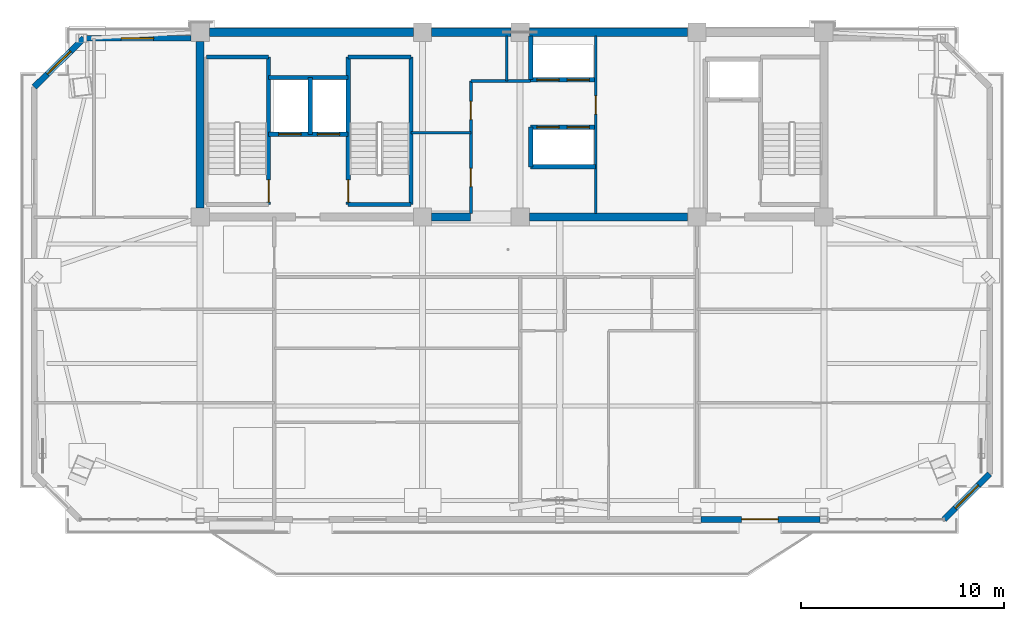
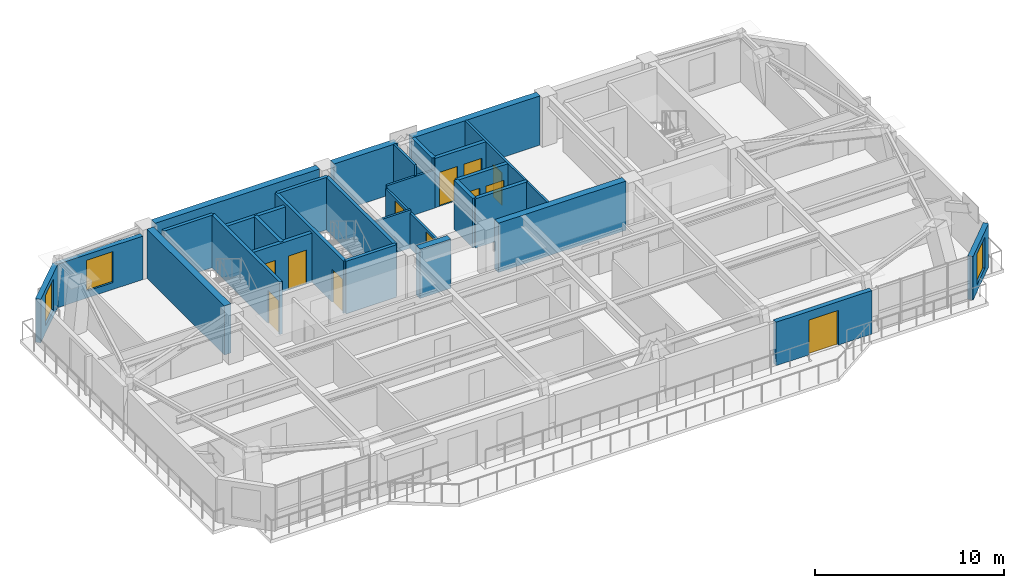
# One storey, part 7 of 12: 29 walls, 12 doors, 3 windows, 15 openings.
"""IFC4 building model written with IfcOpenShell, lengths in metres."""

from ifc_helpers import new_model, si_unit, direction, frame, frame_2d, origin, place, context, subcontext, project, spatial, rectangle, extrude, source, transform, mapped, material, layer, layer_set, type_object, element, fill, save


model = new_model("IFC4")

# Units and contexts
model_context = context("Model", 3, precision=1e-05, world=origin(), true_north=direction((0.0, 1.0)))
body_context = subcontext(model_context, "Body", "Model", "MODEL_VIEW")
ifc_project = project(units=[si_unit("LENGTHUNIT", "METRE"), si_unit("AREAUNIT", "SQUARE_METRE"), si_unit("VOLUMEUNIT", "CUBIC_METRE"), si_unit("PLANEANGLEUNIT", "RADIAN"), si_unit("MASSUNIT", "GRAM", prefix="KILO")], contexts=[model_context])

# Site, building, storey
site_placement = place(None, origin())
site = spatial("IfcSite", under=ifc_project, at=site_placement, CompositionType="ELEMENT")
building_placement = place(site_placement, origin())
building = spatial("IfcBuilding", under=site, at=building_placement, Name="Giltprow Tower", CompositionType="ELEMENT")
storey_placement = place(building_placement, frame((0.0, 0.0, 342.5)))
storey = spatial("IfcBuildingStorey", under=building, at=storey_placement, Name="L89", CompositionType="ELEMENT", Elevation=342.5)

# Wall, opening, window
ifc_material_1 = material(Name="Precast concrete C40", Category="concrete")
ifc_layer_1 = layer(ifc_material_1, 0.300048828125, Name="Precast concrete C40")
ifc_layer_set_1 = layer_set([ifc_layer_1], Name="Precast concrete C40")
wall_type_1 = type_object("IfcWallType", Name="EW-NOTCH-CHAMFER-300", PredefinedType="SOLIDWALL", material=ifc_layer_set_1)
wall_1_placement = place(storey_placement, frame((56.468994140625, 22.568115234375, 0.0), z_axis=(0.0, 0.0, 1.0), x_axis=(0.707145211947, 0.707068348337, 0.0)))
wall_1 = element("IfcWall", 1, at=wall_1_placement, inside=storey, type_object=wall_type_1, Name="L89 Corner Notch Wall SE", PredefinedType="SOLIDWALL", context=body_context, shape_type="SweptSolid", body=[
    extrude(rectangle(XDim=3.17626953125, YDim=0.300048828125, at=frame_2d((1.588134765625, 0.0))), origin(), (0.0, 0.0, 1.0), 2.81494140625),
])
opening_1_placement = place(wall_1_placement, frame((0.7880859375, 0.0, 0.449951171875)))
opening_1 = element("IfcOpeningElement", 2, at=opening_1_placement, cuts=wall_1, Name="Opening WN17", PredefinedType="OPENING", context=body_context, shape_type="SweptSolid", body=[
    extrude(rectangle(XDim=1.60009765625, YDim=2.0, at=frame_2d((0.800048828125, 1.0))), frame((0.0, 0.159912109375, 0.0), z_axis=(0.0, -1.0, 0.0), x_axis=(1.0, 0.0, 0.0)), (0.0, 0.0, 1.0), 0.320068359375),
])
ifc_material_2 = material(Name="Insulated glass", Category="glass")
window_type = type_object("IfcWindowType", Name="WN-COR-1600x2000", PartitioningType="SINGLE_PANEL", PredefinedType="WINDOW", material=ifc_material_2)
shared_shape_1 = source(origin(), body_context, "Body", "SweptSolid", [
    extrude(rectangle(XDim=1.60009765625, YDim=2.0, at=frame_2d((0.800048828125, 1.0))), frame((0.0, 0.030029296875, 0.0), z_axis=(0.0, -1.0, 0.0), x_axis=(1.0, 0.0, 0.0)), (0.0, 0.0, 1.0), 0.06005859375),
])
window_1_placement = place(opening_1_placement, origin())
window_1 = element("IfcWindow", 3, at=window_1_placement, inside=storey, type_object=window_type, Name="L89 Corner Notch Window SE", OverallHeight=2.0, OverallWidth=1.60009765625, PartitioningType="SINGLE_PANEL", PredefinedType="WINDOW", context=body_context, shape_type="MappedRepresentation", body=[
    mapped(shared_shape_1, transform((0.0, 0.0, 0.0), x_axis=(1.0, 0.0, 0.0), y_axis=(0.0, 1.0, 0.0), z_axis=(0.0, 0.0, 1.0), scale=1.0)),
])
fill(opening_1, window_1)

wall_2_placement = place(storey_placement, frame((14.131103515625, 46.25, 0.0), z_axis=(0.0, 0.0, 1.0), x_axis=(-0.714377494024, -0.699760527632, 0.0)))
wall_2 = element("IfcWall", 4, at=wall_2_placement, inside=storey, type_object=wall_type_1, Name="L89 Corner Notch Wall NW", PredefinedType="SOLIDWALL", context=body_context, shape_type="SweptSolid", body=[
    extrude(rectangle(XDim=3.424072265625, YDim=0.300048828125, at=frame_2d((1.7119140625, 0.0))), origin(), (0.0, 0.0, 1.0), 2.81494140625),
])
opening_2_placement = place(wall_2_placement, frame((0.912109375, 0.0, 0.449951171875)))
opening_2 = element("IfcOpeningElement", 5, at=opening_2_placement, cuts=wall_2, Name="Opening WN17", PredefinedType="OPENING", context=body_context, shape_type="SweptSolid", body=[
    extrude(rectangle(XDim=1.60009765625, YDim=2.0, at=frame_2d((0.800048828125, 1.0))), frame((0.0, 0.159912109375, 0.0), z_axis=(0.0, -1.0, 0.0), x_axis=(1.0, 0.0, 0.0)), (0.0, 0.0, 1.0), 0.320068359375),
])
window_2_placement = place(opening_2_placement, origin())
window_2 = element("IfcWindow", 6, at=window_2_placement, inside=storey, type_object=window_type, Name="L89 Corner Notch Window NW", OverallHeight=2.0, OverallWidth=1.60009765625, PartitioningType="SINGLE_PANEL", PredefinedType="WINDOW", context=body_context, shape_type="MappedRepresentation", body=[
    mapped(shared_shape_1, transform((0.0, 0.0, 0.0), x_axis=(1.0, 0.0, 0.0), y_axis=(0.0, 1.0, 0.0), z_axis=(0.0, 0.0, 1.0), scale=1.0)),
])
fill(opening_2, window_2)

# Wall, opening, door
ifc_layer_2 = layer(ifc_material_1, 0.280029296875, Name="Precast concrete C40")
ifc_layer_set_2 = layer_set([ifc_layer_2], Name="Precast concrete C40")
wall_type_2 = type_object("IfcWallType", Name="EW-TOW-BRONZE-280", PredefinedType="SOLIDWALL", material=ifc_layer_set_2)
wall_3_placement = place(storey_placement, frame((44.5, 22.568115234375, 0.0), z_axis=(0.0, 0.0, 1.0), x_axis=(1.0, 0.0, 0.0)))
wall_3 = element("IfcWall", 7, at=wall_3_placement, inside=storey, type_object=wall_type_2, Name="L89 South Expressed Frame Wall 5", PredefinedType="SOLIDWALL", context=body_context, shape_type="SweptSolid", body=[
    extrude(rectangle(XDim=5.85009765625, YDim=0.280029296875, at=frame_2d((2.925048828125, 0.0))), origin(), (0.0, 0.0, 1.0), 2.81494140625),
])
opening_3_placement = place(wall_3_placement, frame((2.0, 0.0, 0.0)))
opening_3 = element("IfcOpeningElement", 8, at=opening_3_placement, cuts=wall_3, Name="Opening ED25", PredefinedType="OPENING", context=body_context, shape_type="SweptSolid", body=[
    extrude(rectangle(XDim=1.800048828125, YDim=2.25, at=frame_2d((0.89990234375, 1.125))), frame((0.0, 0.14990234375, 0.0), z_axis=(0.0, -1.0, 0.0), x_axis=(1.0, 0.0, 0.0)), (0.0, 0.0, 1.0), 0.300048828125),
])
ifc_material_3 = material(Name="Anodized bronze and glass", Category="glass")
door_type_1 = type_object("IfcDoorType", Name="DR-BALC-SLIDE-1800", OperationType="SLIDING_TO_LEFT", PredefinedType="DOOR", material=ifc_material_3)
shared_shape_2 = source(origin(), body_context, "Body", "SweptSolid", [
    extrude(rectangle(XDim=1.800048828125, YDim=2.25, at=frame_2d((0.89990234375, 1.125))), frame((0.0, 0.02490234375, 0.0), z_axis=(0.0, -1.0, 0.0), x_axis=(1.0, 0.0, 0.0)), (0.0, 0.0, 1.0), 0.050048828125),
])
door_1_placement = place(opening_3_placement, origin())
door_1 = element("IfcDoor", 9, at=door_1_placement, inside=storey, type_object=door_type_1, Name="L89 Waterfront Balcony Sliding Door 2", OperationType="SLIDING_TO_LEFT", OverallHeight=2.25, OverallWidth=1.800048828125, PredefinedType="DOOR", context=body_context, shape_type="MappedRepresentation", body=[
    mapped(shared_shape_2, transform((0.0, 0.0, 0.0), x_axis=(1.0, 0.0, 0.0), y_axis=(0.0, 1.0, 0.0), z_axis=(0.0, 0.0, 1.0), scale=1.0)),
])
fill(opening_3, door_1)

# Wall, opening, window
wall_4_placement = place(storey_placement, frame((14.131103515625, 46.25, 0.0), z_axis=(0.0, 0.0, 1.0), x_axis=(1.0, 0.0, 0.0)))
wall_4 = element("IfcWall", 10, at=wall_4_placement, inside=storey, type_object=wall_type_2, Name="L89 North-West Wing Wall", PredefinedType="SOLIDWALL", context=body_context, shape_type="SweptSolid", body=[
    extrude(rectangle(XDim=5.268798828125, YDim=0.280029296875, at=frame_2d((2.63427734375, 0.0))), origin(), (0.0, 0.0, 1.0), 2.81494140625),
])
opening_4_placement = place(wall_4_placement, frame((1.833984375, 0.0, 0.449951171875)))
opening_4 = element("IfcOpeningElement", 11, at=opening_4_placement, cuts=wall_4, Name="Opening WN17", PredefinedType="OPENING", context=body_context, shape_type="SweptSolid", body=[
    extrude(rectangle(XDim=1.60009765625, YDim=2.0, at=frame_2d((0.800048828125, 1.0))), frame((0.0, 0.14990234375, 0.0), z_axis=(0.0, -1.0, 0.0), x_axis=(1.0, 0.0, 0.0)), (0.0, 0.0, 1.0), 0.300048828125),
])
window_3_placement = place(opening_4_placement, origin())
window_3 = element("IfcWindow", 12, at=window_3_placement, inside=storey, type_object=window_type, Name="L89 North-West Window", OverallHeight=2.0, OverallWidth=1.60009765625, PartitioningType="SINGLE_PANEL", PredefinedType="WINDOW", context=body_context, shape_type="MappedRepresentation", body=[
    mapped(shared_shape_1, transform((0.0, 0.0, 0.0), x_axis=(1.0, 0.0, 0.0), y_axis=(0.0, 1.0, 0.0), z_axis=(0.0, 0.0, 1.0), scale=1.0)),
])
fill(opening_4, window_3)

# Wall, openings, doors
ifc_material_4 = material(Name="Concrete C40", Category="concrete")
ifc_layer_3 = layer(ifc_material_4, 0.219970703125, Name="Concrete C40")
ifc_layer_set_3 = layer_set([ifc_layer_3], Name="Concrete C40")
wall_type_3 = type_object("IfcWallType", Name="IW-SHAFT-220", PredefinedType="SOLIDWALL", material=ifc_layer_set_3)
wall_5_placement = place(storey_placement, frame((23.219970703125, 41.52001953125, 0.0), z_axis=(0.0, 0.0, 1.0), x_axis=(1.0, 0.0, 0.0)))
wall_5 = element("IfcWall", 13, at=wall_5_placement, inside=storey, type_object=wall_type_3, Name="L89 FFL1 and Service Lift Front Wall", PredefinedType="SOLIDWALL", context=body_context, shape_type="SweptSolid", body=[
    extrude(rectangle(XDim=3.919921875, YDim=0.219970703125, at=frame_2d((1.9599609375, 0.0))), origin(), (0.0, 0.0, 1.0), 3.18505859375),
])
opening_5_placement = place(wall_5_placement, frame((0.5, 0.0, 0.0)))
opening_5 = element("IfcOpeningElement", 14, at=opening_5_placement, cuts=wall_5, Name="Opening LD-11", PredefinedType="OPENING", context=body_context, shape_type="SweptSolid", body=[
    extrude(rectangle(XDim=1.10009765625, YDim=2.199951171875, at=frame_2d((0.550048828125, 1.10009765625))), frame((0.0, 0.119873046875, 0.0), z_axis=(0.0, -1.0, 0.0), x_axis=(1.0, 0.0, 0.0)), (0.0, 0.0, 1.0), 0.239990234375),
])
opening_6_placement = place(wall_5_placement, frame((2.39990234375, 0.0, 0.0)))
opening_6 = element("IfcOpeningElement", 15, at=opening_6_placement, cuts=wall_5, Name="Opening LD-11", PredefinedType="OPENING", context=body_context, shape_type="SweptSolid", body=[
    extrude(rectangle(XDim=1.10009765625, YDim=2.199951171875, at=frame_2d((0.550048828125, 1.10009765625))), frame((0.0, 0.119873046875, 0.0), z_axis=(0.0, -1.0, 0.0), x_axis=(1.0, 0.0, 0.0)), (0.0, 0.0, 1.0), 0.239990234375),
])
ifc_material_5 = material(Name="Stainless steel", Category="steel")
door_type_2 = type_object("IfcDoorType", Name="DR-LIFT-LD1100", OperationType="SLIDING_TO_LEFT", PredefinedType="DOOR", material=ifc_material_5)
shared_shape_3 = source(origin(), body_context, "Body", "SweptSolid", [
    extrude(rectangle(XDim=1.10009765625, YDim=2.199951171875, at=frame_2d((0.550048828125, 1.10009765625))), frame((0.0, 0.02490234375, 0.0), z_axis=(0.0, -1.0, 0.0), x_axis=(1.0, 0.0, 0.0)), (0.0, 0.0, 1.0), 0.050048828125),
])
door_2_placement = place(opening_5_placement, origin())
door_2 = element("IfcDoor", 16, at=door_2_placement, inside=storey, type_object=door_type_2, Name="L89 FFL1 Landing Door", OperationType="SLIDING_TO_LEFT", OverallHeight=2.199951171875, OverallWidth=1.10009765625, PredefinedType="DOOR", context=body_context, shape_type="MappedRepresentation", body=[
    mapped(shared_shape_3, transform((0.0, 0.0, 0.0), x_axis=(1.0, 0.0, 0.0), y_axis=(0.0, 1.0, 0.0), z_axis=(0.0, 0.0, 1.0), scale=1.0)),
])
fill(opening_5, door_2)
door_3_placement = place(opening_6_placement, origin())
door_3 = element("IfcDoor", 17, at=door_3_placement, inside=storey, type_object=door_type_2, Name="L89 SVL1 Landing Door", OperationType="SLIDING_TO_LEFT", OverallHeight=2.199951171875, OverallWidth=1.10009765625, PredefinedType="DOOR", context=body_context, shape_type="MappedRepresentation", body=[
    mapped(shared_shape_3, transform((0.0, 0.0, 0.0), x_axis=(1.0, 0.0, 0.0), y_axis=(0.0, 1.0, 0.0), z_axis=(0.0, 0.0, 1.0), scale=1.0)),
])
fill(opening_6, door_3)

# Walls
wall_6_placement = place(storey_placement, frame((25.260009765625, 41.52001953125, 0.0), z_axis=(0.0, 0.0, 1.0), x_axis=(0.0, 1.0, 0.0)))
element("IfcWall", 18, at=wall_6_placement, inside=storey, type_object=wall_type_3, Name="L89 FFL1-SVL1 Shaft Divider", PredefinedType="SOLIDWALL", context=body_context, shape_type="SweptSolid", body=[
    extrude(rectangle(XDim=2.800048828125, YDim=0.219970703125, at=frame_2d((1.39990234375, 0.0))), origin(), (0.0, 0.0, 1.0), 3.18505859375),
])
wall_7_placement = place(storey_placement, frame((23.219970703125, 44.320068359375, 0.0), z_axis=(0.0, 0.0, 1.0), x_axis=(1.0, 0.0, 0.0)))
element("IfcWall", 19, at=wall_7_placement, inside=storey, type_object=wall_type_3, Name="L89 FFL1-SVL1 Back Shaft Wall", PredefinedType="SOLIDWALL", context=body_context, shape_type="SweptSolid", body=[
    extrude(rectangle(XDim=3.919921875, YDim=0.219970703125, at=frame_2d((1.9599609375, 0.0))), origin(), (0.0, 0.0, 1.0), 3.18505859375),
])

# Wall, openings, doors
wall_8_placement = place(storey_placement, frame((36.1201171875, 44.219970703125, 0.0), z_axis=(0.0, 0.0, 1.0), x_axis=(1.0, 0.0, 0.0)))
wall_8 = element("IfcWall", 20, at=wall_8_placement, inside=storey, type_object=wall_type_3, Name="L89 High-Rise Lift Shaft Front Wall N", PredefinedType="SOLIDWALL", context=body_context, shape_type="SweptSolid", body=[
    extrude(rectangle(XDim=3.199951171875, YDim=0.219970703125, at=frame_2d((1.60009765625, 0.0))), origin(), (0.0, 0.0, 1.0), 3.18505859375),
])
opening_7_placement = place(wall_8_placement, frame((0.300048828125, 0.0, 0.0)))
opening_7 = element("IfcOpeningElement", 21, at=opening_7_placement, cuts=wall_8, Name="Opening LD-11", PredefinedType="OPENING", context=body_context, shape_type="SweptSolid", body=[
    extrude(rectangle(XDim=1.10009765625, YDim=2.199951171875, at=frame_2d((0.550048828125, 1.10009765625))), frame((0.0, 0.119873046875, 0.0), z_axis=(0.0, -1.0, 0.0), x_axis=(1.0, 0.0, 0.0)), (0.0, 0.0, 1.0), 0.239990234375),
])
opening_8_placement = place(wall_8_placement, frame((1.7900390625, 0.0, 0.0)))
opening_8 = element("IfcOpeningElement", 22, at=opening_8_placement, cuts=wall_8, Name="Opening LD-11", PredefinedType="OPENING", context=body_context, shape_type="SweptSolid", body=[
    extrude(rectangle(XDim=1.10009765625, YDim=2.199951171875, at=frame_2d((0.550048828125, 1.10009765625))), frame((0.0, 0.119873046875, 0.0), z_axis=(0.0, -1.0, 0.0), x_axis=(1.0, 0.0, 0.0)), (0.0, 0.0, 1.0), 0.239990234375),
])
door_4_placement = place(opening_7_placement, origin())
door_4 = element("IfcDoor", 23, at=door_4_placement, inside=storey, type_object=door_type_2, Name="L89 PL-H1 Landing Door", OperationType="SLIDING_TO_LEFT", OverallHeight=2.199951171875, OverallWidth=1.10009765625, PredefinedType="DOOR", context=body_context, shape_type="MappedRepresentation", body=[
    mapped(shared_shape_3, transform((0.0, 0.0, 0.0), x_axis=(1.0, 0.0, 0.0), y_axis=(0.0, 1.0, 0.0), z_axis=(0.0, 0.0, 1.0), scale=1.0)),
])
fill(opening_7, door_4)
door_5_placement = place(opening_8_placement, origin())
door_5 = element("IfcDoor", 24, at=door_5_placement, inside=storey, type_object=door_type_2, Name="L89 PL-H2 Landing Door", OperationType="SLIDING_TO_LEFT", OverallHeight=2.199951171875, OverallWidth=1.10009765625, PredefinedType="DOOR", context=body_context, shape_type="MappedRepresentation", body=[
    mapped(shared_shape_3, transform((0.0, 0.0, 0.0), x_axis=(1.0, 0.0, 0.0), y_axis=(0.0, 1.0, 0.0), z_axis=(0.0, 0.0, 1.0), scale=1.0)),
])
fill(opening_8, door_5)

wall_9_placement = place(storey_placement, frame((36.1201171875, 41.8798828125, 0.0), z_axis=(0.0, 0.0, 1.0), x_axis=(1.0, 0.0, 0.0)))
wall_9 = element("IfcWall", 25, at=wall_9_placement, inside=storey, type_object=wall_type_3, Name="L89 High-Rise Lift Shaft Front Wall S", PredefinedType="SOLIDWALL", context=body_context, shape_type="SweptSolid", body=[
    extrude(rectangle(XDim=3.199951171875, YDim=0.219970703125, at=frame_2d((1.60009765625, 0.0))), origin(), (0.0, 0.0, 1.0), 3.18505859375),
])
opening_9_placement = place(wall_9_placement, frame((0.300048828125, 0.0, 0.0)))
opening_9 = element("IfcOpeningElement", 26, at=opening_9_placement, cuts=wall_9, Name="Opening LD-11", PredefinedType="OPENING", context=body_context, shape_type="SweptSolid", body=[
    extrude(rectangle(XDim=1.10009765625, YDim=2.199951171875, at=frame_2d((0.550048828125, 1.10009765625))), frame((0.0, 0.119873046875, 0.0), z_axis=(0.0, -1.0, 0.0), x_axis=(1.0, 0.0, 0.0)), (0.0, 0.0, 1.0), 0.239990234375),
])
opening_10_placement = place(wall_9_placement, frame((1.7900390625, 0.0, 0.0)))
opening_10 = element("IfcOpeningElement", 27, at=opening_10_placement, cuts=wall_9, Name="Opening LD-11", PredefinedType="OPENING", context=body_context, shape_type="SweptSolid", body=[
    extrude(rectangle(XDim=1.10009765625, YDim=2.199951171875, at=frame_2d((0.550048828125, 1.10009765625))), frame((0.0, 0.119873046875, 0.0), z_axis=(0.0, -1.0, 0.0), x_axis=(1.0, 0.0, 0.0)), (0.0, 0.0, 1.0), 0.239990234375),
])
door_6_placement = place(opening_9_placement, origin())
door_6 = element("IfcDoor", 28, at=door_6_placement, inside=storey, type_object=door_type_2, Name="L89 PL-H3 Landing Door", OperationType="SLIDING_TO_LEFT", OverallHeight=2.199951171875, OverallWidth=1.10009765625, PredefinedType="DOOR", context=body_context, shape_type="MappedRepresentation", body=[
    mapped(shared_shape_3, transform((0.0, 0.0, 0.0), x_axis=(1.0, 0.0, 0.0), y_axis=(0.0, 1.0, 0.0), z_axis=(0.0, 0.0, 1.0), scale=1.0)),
])
fill(opening_9, door_6)
door_7_placement = place(opening_10_placement, origin())
door_7 = element("IfcDoor", 29, at=door_7_placement, inside=storey, type_object=door_type_2, Name="L89 PL-H4 Landing Door", OperationType="SLIDING_TO_LEFT", OverallHeight=2.199951171875, OverallWidth=1.10009765625, PredefinedType="DOOR", context=body_context, shape_type="MappedRepresentation", body=[
    mapped(shared_shape_3, transform((0.0, 0.0, 0.0), x_axis=(1.0, 0.0, 0.0), y_axis=(0.0, 1.0, 0.0), z_axis=(0.0, 0.0, 1.0), scale=1.0)),
])
fill(opening_10, door_7)

# Walls
wall_10_placement = place(storey_placement, frame((36.1201171875, 39.919921875, 0.0), z_axis=(0.0, 0.0, 1.0), x_axis=(1.0, 0.0, 0.0)))
element("IfcWall", 30, at=wall_10_placement, inside=storey, type_object=wall_type_3, Name="L89 High-Rise South Lift Back Wall", PredefinedType="SOLIDWALL", context=body_context, shape_type="SweptSolid", body=[
    extrude(rectangle(XDim=3.199951171875, YDim=0.219970703125, at=frame_2d((1.60009765625, 0.0))), origin(), (0.0, 0.0, 1.0), 3.18505859375),
])
wall_11_placement = place(storey_placement, frame((36.1201171875, 39.919921875, 0.0), z_axis=(0.0, 0.0, 1.0), x_axis=(0.0, 1.0, 0.0)))
element("IfcWall", 31, at=wall_11_placement, inside=storey, type_object=wall_type_3, Name="L89 High-Rise South Lift West Closure", PredefinedType="SOLIDWALL", context=body_context, shape_type="SweptSolid", body=[
    extrude(rectangle(XDim=1.9599609375, YDim=0.219970703125, at=frame_2d((0.97998046875, 0.0))), origin(), (0.0, 0.0, 1.0), 3.18505859375),
])
wall_12_placement = place(storey_placement, frame((36.1201171875, 44.219970703125, 0.0), z_axis=(0.0, 0.0, 1.0), x_axis=(0.0, 1.0, 0.0)))
element("IfcWall", 32, at=wall_12_placement, inside=storey, type_object=wall_type_3, Name="L89 High-Rise North Lift West Closure", PredefinedType="SOLIDWALL", context=body_context, shape_type="SweptSolid", body=[
    extrude(rectangle(XDim=2.150146484375, YDim=0.219970703125, at=frame_2d((1.0751953125, 0.0))), origin(), (0.0, 0.0, 1.0), 3.18505859375),
])

# Wall, opening, door
ifc_layer_4 = layer(ifc_material_4, 0.199951171875, Name="Concrete C40")
ifc_layer_set_4 = layer_set([ifc_layer_4], Name="Concrete C40")
wall_type_4 = type_object("IfcWallType", Name="IW-STAIR-200", PredefinedType="SOLIDWALL", material=ifc_layer_set_4)
wall_13_placement = place(storey_placement, frame((23.219970703125, 38.070068359375, 0.0), z_axis=(0.0, 0.0, 1.0), x_axis=(0.0, 1.0, 0.0)))
wall_13 = element("IfcWall", 33, at=wall_13_placement, inside=storey, type_object=wall_type_4, Name="L89 Stair ST-1 East Bearing Wall", PredefinedType="SOLIDWALL", context=body_context, shape_type="SweptSolid", body=[
    extrude(rectangle(XDim=7.25, YDim=0.199951171875, at=frame_2d((3.625, 0.0))), origin(), (0.0, 0.0, 1.0), 3.39990234375),
])
opening_11_placement = place(wall_13_placement, frame((0.110107421875, 0.0, 0.0)))
opening_11 = element("IfcOpeningElement", 34, at=opening_11_placement, cuts=wall_13, Name="Opening ID33", PredefinedType="OPENING", context=body_context, shape_type="SweptSolid", body=[
    extrude(rectangle(XDim=1.10009765625, YDim=2.14990234375, at=frame_2d((0.550048828125, 1.074951171875))), frame((0.0, 0.10986328125, 0.0), z_axis=(0.0, -1.0, 0.0), x_axis=(1.0, 0.0, 0.0)), (0.0, 0.0, 1.0), 0.219970703125),
])
ifc_material_6 = material(Name="Steel fire leaf", Category="steel")
door_type_3 = type_object("IfcDoorType", Name="DR-STAIR-1100", OperationType="SINGLE_SWING_LEFT", PredefinedType="DOOR", material=ifc_material_6)
shared_shape_4 = source(origin(), body_context, "Body", "SweptSolid", [
    extrude(rectangle(XDim=1.10009765625, YDim=2.14990234375, at=frame_2d((0.550048828125, 1.074951171875))), frame((0.0, 0.02490234375, 0.0), z_axis=(0.0, -1.0, 0.0), x_axis=(1.0, 0.0, 0.0)), (0.0, 0.0, 1.0), 0.050048828125),
])
door_8_placement = place(opening_11_placement, origin())
door_8 = element("IfcDoor", 35, at=door_8_placement, inside=storey, type_object=door_type_3, Name="L89 Stair ST-1 Fire Door", OperationType="SINGLE_SWING_LEFT", OverallHeight=2.14990234375, OverallWidth=1.10009765625, PredefinedType="DOOR", context=body_context, shape_type="MappedRepresentation", body=[
    mapped(shared_shape_4, transform((0.0, 0.0, 0.0), x_axis=(1.0, 0.0, 0.0), y_axis=(0.0, 1.0, 0.0), z_axis=(0.0, 0.0, 1.0), scale=1.0)),
])
fill(opening_11, door_8)

# Wall
wall_14_placement = place(storey_placement, frame((20.169921875, 45.320068359375, 0.0), z_axis=(0.0, 0.0, 1.0), x_axis=(1.0, 0.0, 0.0)))
element("IfcWall", 36, at=wall_14_placement, inside=storey, type_object=wall_type_4, Name="L89 Stair ST-1 North Bearing Wall", PredefinedType="SOLIDWALL", context=body_context, shape_type="SweptSolid", body=[
    extrude(rectangle(XDim=3.050048828125, YDim=0.199951171875, at=frame_2d((1.52490234375, 0.0))), origin(), (0.0, 0.0, 1.0), 3.39990234375),
])

# Wall, opening, door
wall_15_placement = place(storey_placement, frame((27.139892578125, 38.070068359375, 0.0), z_axis=(0.0, 0.0, 1.0), x_axis=(0.0, 1.0, 0.0)))
wall_15 = element("IfcWall", 37, at=wall_15_placement, inside=storey, type_object=wall_type_4, Name="L89 Stair ST-2 West Bearing Wall", PredefinedType="SOLIDWALL", context=body_context, shape_type="SweptSolid", body=[
    extrude(rectangle(XDim=7.25, YDim=0.199951171875, at=frame_2d((3.625, 0.0))), origin(), (0.0, 0.0, 1.0), 3.39990234375),
])
opening_12_placement = place(wall_15_placement, frame((0.110107421875, 0.0, 0.0)))
opening_12 = element("IfcOpeningElement", 38, at=opening_12_placement, cuts=wall_15, Name="Opening ID33", PredefinedType="OPENING", context=body_context, shape_type="SweptSolid", body=[
    extrude(rectangle(XDim=1.10009765625, YDim=2.14990234375, at=frame_2d((0.550048828125, 1.074951171875))), frame((0.0, 0.10986328125, 0.0), z_axis=(0.0, -1.0, 0.0), x_axis=(1.0, 0.0, 0.0)), (0.0, 0.0, 1.0), 0.219970703125),
])
door_9_placement = place(opening_12_placement, origin())
door_9 = element("IfcDoor", 39, at=door_9_placement, inside=storey, type_object=door_type_3, Name="L89 Stair ST-2 Fire Door", OperationType="SINGLE_SWING_RIGHT", OverallHeight=2.14990234375, OverallWidth=1.10009765625, PredefinedType="DOOR", context=body_context, shape_type="MappedRepresentation", body=[
    mapped(shared_shape_4, transform((0.0, 0.0, 0.0), x_axis=(1.0, 0.0, 0.0), y_axis=(0.0, 1.0, 0.0), z_axis=(0.0, 0.0, 1.0), scale=1.0)),
])
fill(opening_12, door_9)

# Walls
wall_16_placement = place(storey_placement, frame((30.219970703125, 38.070068359375, 0.0), z_axis=(0.0, 0.0, 1.0), x_axis=(0.0, 1.0, 0.0)))
element("IfcWall", 40, at=wall_16_placement, inside=storey, type_object=wall_type_4, Name="L89 Stair ST-2 East Bearing Wall", PredefinedType="SOLIDWALL", context=body_context, shape_type="SweptSolid", body=[
    extrude(rectangle(XDim=7.25, YDim=0.199951171875, at=frame_2d((3.625, 0.0))), origin(), (0.0, 0.0, 1.0), 3.39990234375),
])
for number, where, z_axis, x_axis, name in (
    (41, (27.139892578125, 45.320068359375, 0.0), (0.0, 0.0, 1.0), (1.0, 0.0, 0.0), "L89 Stair ST-2 North Bearing Wall"),
    (42, (27.139892578125, 38.070068359375, 0.0), (0.0, 0.0, 1.0), (1.0, 0.0, 0.0), "L89 Stair ST-2 South Bearing Wall"),
):
    element("IfcWall", number, at=place(storey_placement, frame(where, z_axis=z_axis, x_axis=x_axis)), inside=storey, type_object=wall_type_4, Name=name, PredefinedType="SOLIDWALL", context=body_context, shape_type="SweptSolid", body=[
        extrude(rectangle(XDim=3.080078125, YDim=0.199951171875, at=frame_2d((1.5400390625, 0.0))), origin(), (0.0, 0.0, 1.0), 3.39990234375),
    ])

# Wall, openings, doors
ifc_material_7 = material(Name="Concrete C30", Category="concrete")
ifc_layer_5 = layer(ifc_material_7, 0.1298828125, Name="Concrete C30")
ifc_layer_set_5 = layer_set([ifc_layer_5], Name="Concrete C30")
wall_type_5 = type_object("IfcWallType", Name="IW-WET-130", PredefinedType="PARTITIONING", material=ifc_layer_set_5)
wall_17_placement = place(storey_placement, frame((33.179931640625, 37.6298828125, 0.0), z_axis=(0.0, 0.0, 1.0), x_axis=(0.0, 1.0, 0.0)))
wall_17 = element("IfcWall", 43, at=wall_17_placement, inside=storey, type_object=wall_type_5, Name="L89 Reclaimed West Core Wall", PredefinedType="PARTITIONING", context=body_context, shape_type="SweptSolid", body=[
    extrude(rectangle(XDim=6.52001953125, YDim=0.1298828125, at=frame_2d((3.260009765625, 0.0))), origin(), (0.0, 0.0, 1.0), 2.27001953125),
])
opening_13_placement = place(wall_17_placement, frame((1.320068359375, 0.0, 0.0)))
opening_13 = element("IfcOpeningElement", 44, at=opening_13_placement, cuts=wall_17, Name="Opening ID35", PredefinedType="OPENING", context=body_context, shape_type="SweptSolid", body=[
    extrude(rectangle(XDim=0.89990234375, YDim=2.10009765625, at=frame_2d((0.449951171875, 1.050048828125))), frame((0.0, 0.074951171875, 0.0), z_axis=(0.0, -1.0, 0.0), x_axis=(1.0, 0.0, 0.0)), (0.0, 0.0, 1.0), 0.14990234375),
])
opening_14_placement = place(wall_17_placement, frame((4.6201171875, 0.0, 0.0)))
opening_14 = element("IfcOpeningElement", 45, at=opening_14_placement, cuts=wall_17, Name="Opening ID35", PredefinedType="OPENING", context=body_context, shape_type="SweptSolid", body=[
    extrude(rectangle(XDim=0.89990234375, YDim=2.10009765625, at=frame_2d((0.449951171875, 1.050048828125))), frame((0.0, 0.074951171875, 0.0), z_axis=(0.0, -1.0, 0.0), x_axis=(1.0, 0.0, 0.0)), (0.0, 0.0, 1.0), 0.14990234375),
])
door_type_4 = type_object("IfcDoorType", Name="DR-SHAFT-900", OperationType="SINGLE_SWING_LEFT", PredefinedType="DOOR", material=ifc_material_6)
shared_shape_5 = source(origin(), body_context, "Body", "SweptSolid", [
    extrude(rectangle(XDim=0.89990234375, YDim=2.10009765625, at=frame_2d((0.449951171875, 1.050048828125))), frame((0.0, 0.02490234375, 0.0), z_axis=(0.0, -1.0, 0.0), x_axis=(1.0, 0.0, 0.0)), (0.0, 0.0, 1.0), 0.050048828125),
])
door_10_placement = place(opening_13_placement, origin())
door_10 = element("IfcDoor", 46, at=door_10_placement, inside=storey, type_object=door_type_4, Name="L89 Core Powder Room Door", OperationType="SINGLE_SWING_RIGHT", OverallHeight=2.10009765625, OverallWidth=0.89990234375, PredefinedType="DOOR", context=body_context, shape_type="MappedRepresentation", body=[
    mapped(shared_shape_5, transform((0.0, 0.0, 0.0), x_axis=(1.0, 0.0, 0.0), y_axis=(0.0, 1.0, 0.0), z_axis=(0.0, 0.0, 1.0), scale=1.0)),
])
fill(opening_13, door_10)
door_11_placement = place(opening_14_placement, origin())
door_11 = element("IfcDoor", 47, at=door_11_placement, inside=storey, type_object=door_type_4, Name="L89 Core Valet Pantry Door", OperationType="SINGLE_SWING_LEFT", OverallHeight=2.10009765625, OverallWidth=0.89990234375, PredefinedType="DOOR", context=body_context, shape_type="MappedRepresentation", body=[
    mapped(shared_shape_5, transform((0.0, 0.0, 0.0), x_axis=(1.0, 0.0, 0.0), y_axis=(0.0, 1.0, 0.0), z_axis=(0.0, 0.0, 1.0), scale=1.0)),
])
fill(opening_14, door_11)

# Walls
wall_18_placement = place(storey_placement, frame((34.949951171875, 44.14990234375, 0.0), z_axis=(0.0, 0.0, 1.0), x_axis=(0.0, 1.0, 0.0)))
element("IfcWall", 48, at=wall_18_placement, inside=storey, type_object=wall_type_5, Name="L89 Reclaimed West Pocket Wall E", PredefinedType="PARTITIONING", context=body_context, shape_type="SweptSolid", body=[
    extrude(rectangle(XDim=2.22021484375, YDim=0.1298828125, at=frame_2d((1.110107421875, 0.0))), origin(), (0.0, 0.0, 1.0), 3.18505859375),
])
wall_19_placement = place(storey_placement, frame((33.179931640625, 44.14990234375, 0.0), z_axis=(0.0, 0.0, 1.0), x_axis=(1.0, 0.0, 0.0)))
element("IfcWall", 49, at=wall_19_placement, inside=storey, type_object=wall_type_5, Name="L89 Reclaimed West Pocket Wall S", PredefinedType="PARTITIONING", context=body_context, shape_type="SweptSolid", body=[
    extrude(rectangle(XDim=2.940185546875, YDim=0.1298828125, at=frame_2d((1.47021484375, 0.0))), origin(), (0.0, 0.0, 1.0), 2.469970703125),
])

# Wall, opening, door
wall_20_placement = place(storey_placement, frame((39.320068359375, 37.6298828125, 0.0), z_axis=(0.0, 0.0, 1.0), x_axis=(0.0, 1.0, 0.0)))
wall_20 = element("IfcWall", 50, at=wall_20_placement, inside=storey, type_object=wall_type_5, Name="L89 Reclaimed East Core Wall", PredefinedType="PARTITIONING", context=body_context, shape_type="SweptSolid", body=[
    extrude(rectangle(XDim=8.740234375, YDim=0.1298828125, at=frame_2d((4.3701171875, 0.0))), origin(), (0.0, 0.0, 1.0), 3.18505859375),
])
opening_15_placement = place(wall_20_placement, frame((4.889892578125, 0.0, 0.0)))
opening_15 = element("IfcOpeningElement", 51, at=opening_15_placement, cuts=wall_20, Name="Opening ID35", PredefinedType="OPENING", context=body_context, shape_type="SweptSolid", body=[
    extrude(rectangle(XDim=0.89990234375, YDim=2.10009765625, at=frame_2d((0.449951171875, 1.050048828125))), frame((0.0, 0.074951171875, 0.0), z_axis=(0.0, -1.0, 0.0), x_axis=(1.0, 0.0, 0.0)), (0.0, 0.0, 1.0), 0.14990234375),
])
door_12_placement = place(opening_15_placement, origin())
door_12 = element("IfcDoor", 52, at=door_12_placement, inside=storey, type_object=door_type_4, Name="L89 Core Cold Delivery Store Door", OperationType="SINGLE_SWING_RIGHT", OverallHeight=2.10009765625, OverallWidth=0.89990234375, PredefinedType="DOOR", context=body_context, shape_type="MappedRepresentation", body=[
    mapped(shared_shape_5, transform((0.0, 0.0, 0.0), x_axis=(1.0, 0.0, 0.0), y_axis=(0.0, 1.0, 0.0), z_axis=(0.0, 0.0, 1.0), scale=1.0)),
])
fill(opening_15, door_12)

# Walls
wall_21_placement = place(storey_placement, frame((30.219970703125, 41.60009765625, 0.0), z_axis=(0.0, 0.0, 1.0), x_axis=(1.0, 0.0, 0.0)))
element("IfcWall", 53, at=wall_21_placement, inside=storey, type_object=wall_type_5, Name="L89 West Core Split", PredefinedType="PARTITIONING", context=body_context, shape_type="SweptSolid", body=[
    extrude(rectangle(XDim=2.9599609375, YDim=0.1298828125, at=frame_2d((1.47998046875, 0.0))), origin(), (0.0, 0.0, 1.0), 2.469970703125),
])
ifc_material_8 = material(Name="Concrete C45", Category="concrete")
ifc_layer_6 = layer(ifc_material_8, 0.39990234375, Name="Concrete C45")
ifc_layer_set_6 = layer_set([ifc_layer_6], Name="Concrete C45")
wall_type_6 = type_object("IfcWallType", Name="SW-EXT-400-C45", PredefinedType="SHEAR", material=ifc_layer_set_6)
wall_22_placement = place(storey_placement, frame((20.300048828125, 46.550048828125, 0.0), z_axis=(0.0, 0.0, 1.0), x_axis=(1.0, 0.0, 0.0)))
element("IfcWall", 54, at=wall_22_placement, inside=storey, type_object=wall_type_6, Name="L89 North Rear Core Shear Wall 1", PredefinedType="SHEAR", context=body_context, shape_type="SweptSolid", body=[
    extrude(rectangle(XDim=10.050048828125, YDim=0.39990234375, at=frame_2d((5.02490234375, 0.0))), origin(), (0.0, 0.0, 1.0), 3.18505859375),
])
wall_23_placement = place(storey_placement, frame((31.25, 46.550048828125, 0.0), z_axis=(0.0, 0.0, 1.0), x_axis=(1.0, 0.0, 0.0)))
element("IfcWall", 55, at=wall_23_placement, inside=storey, type_object=wall_type_6, Name="L89 North Rear Core Shear Wall 2", PredefinedType="SHEAR", context=body_context, shape_type="SweptSolid", body=[
    extrude(rectangle(XDim=3.89990234375, YDim=0.39990234375, at=frame_2d((1.949951171875, 0.0))), origin(), (0.0, 0.0, 1.0), 3.18505859375),
])
wall_24_placement = place(storey_placement, frame((36.050048828125, 46.550048828125, 0.0), z_axis=(0.0, 0.0, 1.0), x_axis=(1.0, 0.0, 0.0)))
element("IfcWall", 56, at=wall_24_placement, inside=storey, type_object=wall_type_6, Name="L89 North Rear Core Shear Wall 3", PredefinedType="SHEAR", context=body_context, shape_type="SweptSolid", body=[
    extrude(rectangle(XDim=7.800048828125, YDim=0.39990234375, at=frame_2d((3.89990234375, 0.0))), origin(), (0.0, 0.0, 1.0), 3.18505859375),
])
ifc_layer_7 = layer(ifc_material_8, 0.39990234375, Name="Concrete C45")
ifc_layer_set_7 = layer_set([ifc_layer_7], Name="Concrete C45")
wall_type_7 = type_object("IfcWallType", Name="SW-INT-400-C45", PredefinedType="SHEAR", material=ifc_layer_set_7)
wall_25_placement = place(storey_placement, frame((31.25, 37.449951171875, 0.0), z_axis=(0.0, 0.0, 1.0), x_axis=(1.0, 0.0, 0.0)))
element("IfcWall", 57, at=wall_25_placement, inside=storey, type_object=wall_type_7, Name="L89 South Rear Core Shear Wall Mid-West", PredefinedType="SHEAR", context=body_context, shape_type="SweptSolid", body=[
    extrude(rectangle(XDim=1.89990234375, YDim=0.39990234375, at=frame_2d((0.949951171875, 0.0))), origin(), (0.0, 0.0, 1.0), 3.18505859375),
])
wall_26_placement = place(storey_placement, frame((36.050048828125, 37.449951171875, 0.0), z_axis=(0.0, 0.0, 1.0), x_axis=(1.0, 0.0, 0.0)))
element("IfcWall", 58, at=wall_26_placement, inside=storey, type_object=wall_type_7, Name="L89 South Rear Core Shear Wall Mid-East", PredefinedType="SHEAR", context=body_context, shape_type="SweptSolid", body=[
    extrude(rectangle(XDim=7.800048828125, YDim=0.39990234375, at=frame_2d((3.89990234375, 0.0))), origin(), (0.0, 0.0, 1.0), 3.18505859375),
])
wall_27_placement = place(storey_placement, frame((19.85009765625, 37.89990234375, 0.0), z_axis=(0.0, 0.0, 1.0), x_axis=(0.0, 1.0, 0.0)))
element("IfcWall", 59, at=wall_27_placement, inside=storey, type_object=wall_type_7, Name="L89 W Rear Core Shear Wall", PredefinedType="SHEAR", context=body_context, shape_type="SweptSolid", body=[
    extrude(rectangle(XDim=8.2001953125, YDim=0.39990234375, at=frame_2d((4.10009765625, 0.0))), origin(), (0.0, 0.0, 1.0), 3.18505859375),
])

save(model, "model.ifc")
